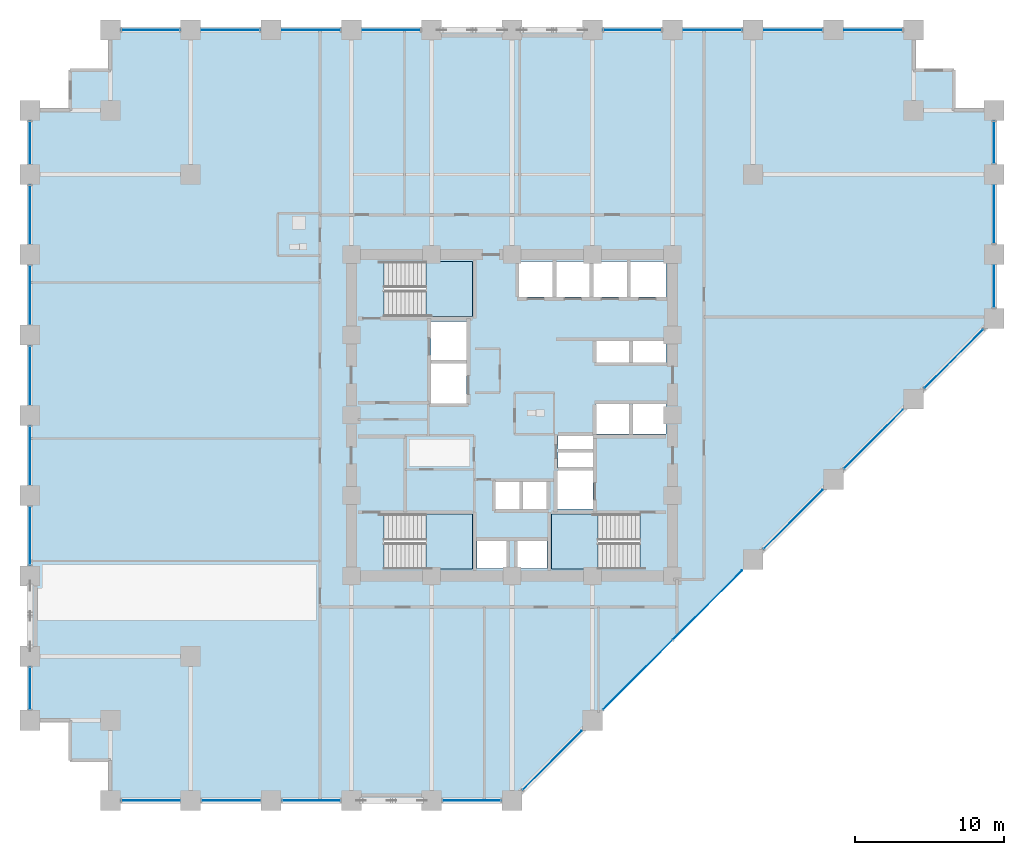
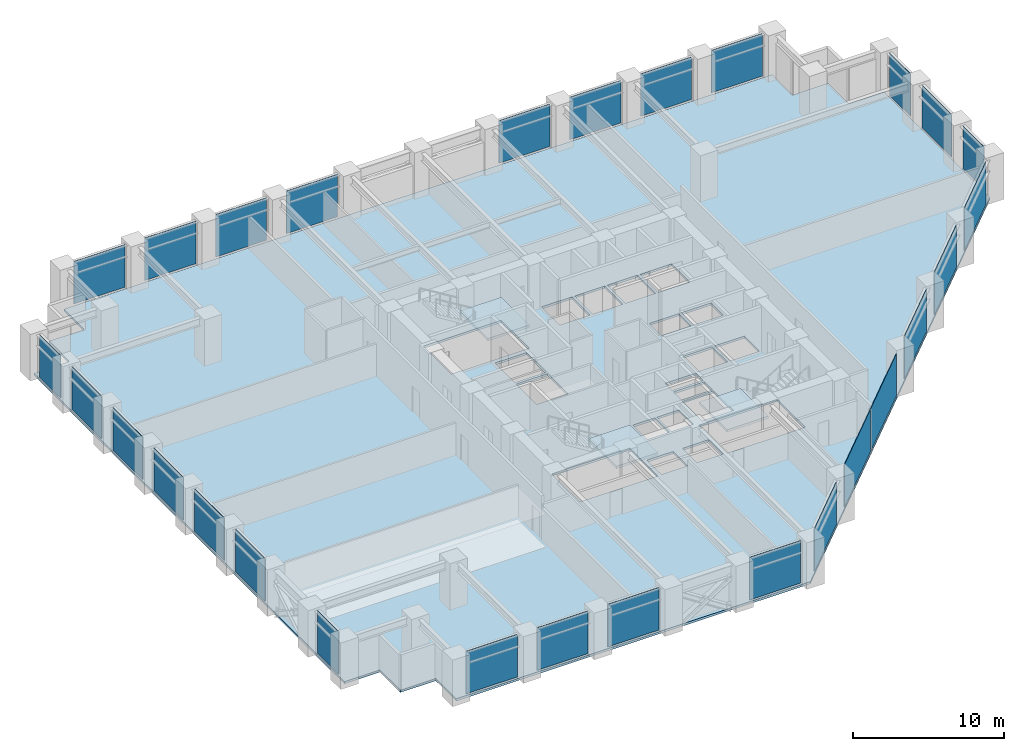
# One storey, part 18 of 25: 28 plates, 4 slabs, 11 elements without a shape of their own.
"""IFC4 building model written with IfcOpenShell, lengths in metres."""

from ifc_helpers import new_model, si_unit, direction, frame, frame_2d, origin, place, context, subcontext, project, spatial, polyline, rectangle, outline, extrude, material, layer, layer_set, type_object, element, aggregate, save


model = new_model("IFC4")

# Units and contexts
model_context = context("Model", 3, precision=1e-05, world=origin(), true_north=direction((0.0, 1.0)))
body_context = subcontext(model_context, "Body", "Model", "MODEL_VIEW")
ifc_project = project(units=[si_unit("LENGTHUNIT", "METRE"), si_unit("AREAUNIT", "SQUARE_METRE"), si_unit("VOLUMEUNIT", "CUBIC_METRE"), si_unit("PLANEANGLEUNIT", "RADIAN"), si_unit("MASSUNIT", "GRAM", prefix="KILO")], contexts=[model_context])

# Site, building, storey
site_placement = place(None, origin())
site = spatial("IfcSite", under=ifc_project, at=site_placement, CompositionType="ELEMENT")
building_placement = place(site_placement, origin())
building = spatial("IfcBuilding", under=site, at=building_placement, Name="Surkhivell Harbour Commons", CompositionType="ELEMENT")
storey_placement = place(building_placement, frame((0.0, 0.0, 48.75)))
storey = spatial("IfcBuildingStorey", under=building, at=storey_placement, Name="L12", CompositionType="ELEMENT", Elevation=48.75)

# Curtain wall, plates
ifc_material_1 = material(Name="Anodised pale-metal aluminium and insulated glazing", Category="aluminium")
ifc_layer_1 = layer(ifc_material_1, 0.219970703125)
ifc_layer_set_1 = layer_set([ifc_layer_1], Name="Anodised pale-metal aluminium and insulated glazing")
curtain_wall_type = type_object("IfcCurtainWallType", Name="CW-SYS-Z1", PredefinedType="NOTDEFINED", material=ifc_layer_set_1)
curtain_wall_1_placement = place(storey_placement, origin())
curtain_wall_1 = element("IfcCurtainWall", 1, at=curtain_wall_1_placement, inside=storey, type_object=curtain_wall_type, Name="L12 Curtain Wall CW-L12-E00S1", PredefinedType="NOTDEFINED")
ifc_material_2 = material(Name="Double-silver low-E laminated vision glass", Category="glass")
ifc_layer_2 = layer(ifc_material_2, 0.031982421875)
ifc_layer_set_2 = layer_set([ifc_layer_2], Name="Double-silver low-E laminated vision glass")
plate_type = type_object("IfcPlateType", Name="CWP-GLZ-32", PredefinedType="CURTAIN_PANEL", material=ifc_layer_set_2)
plate_1_placement = place(storey_placement, frame((-26.248046875, -25.89990234375, 0.14990234375), z_axis=(0.0, 0.0, 1.0), x_axis=(1.0, 0.0, 0.0)))
plate_1 = element("IfcPlate", 2, at=plate_1_placement, type_object=plate_type, Name="CW-Z1 panel 1.1", PredefinedType="CURTAIN_PANEL", context=body_context, shape_type="SweptSolid", body=[
    extrude(rectangle(XDim=3.89599609375, YDim=0.031982421875, at=frame_2d((1.947998046875, 0.0))), origin(), (0.0, 0.0, 1.0), 3.420166015625),
])
plate_2_placement = place(storey_placement, frame((-20.847900390625, -25.89990234375, 0.14990234375), z_axis=(0.0, 0.0, 1.0), x_axis=(1.0, 0.0, 0.0)))
plate_2 = element("IfcPlate", 3, at=plate_2_placement, type_object=plate_type, Name="CW-Z1 panel 2.1", PredefinedType="CURTAIN_PANEL", context=body_context, shape_type="SweptSolid", body=[
    extrude(rectangle(XDim=3.89599609375, YDim=0.031982421875, at=frame_2d((1.947998046875, 0.0))), origin(), (0.0, 0.0, 1.0), 3.420166015625),
])
plate_3_placement = place(storey_placement, frame((-15.447998046875, -25.89990234375, 0.14990234375), z_axis=(0.0, 0.0, 1.0), x_axis=(1.0, 0.0, 0.0)))
plate_3 = element("IfcPlate", 4, at=plate_3_placement, type_object=plate_type, Name="CW-Z1 panel 3.1", PredefinedType="CURTAIN_PANEL", context=body_context, shape_type="SweptSolid", body=[
    extrude(rectangle(XDim=3.89599609375, YDim=0.031982421875, at=frame_2d((1.947998046875, 0.0))), origin(), (0.0, 0.0, 1.0), 3.420166015625),
])
aggregate(curtain_wall_1, [plate_1, plate_2, plate_3])

# Curtain wall, plate
curtain_wall_2_placement = place(storey_placement, origin())
curtain_wall_2 = element("IfcCurtainWall", 5, at=curtain_wall_2_placement, inside=storey, type_object=curtain_wall_type, Name="L12 Curtain Wall CW-L12-E00S2", PredefinedType="NOTDEFINED")
plate_4_placement = place(storey_placement, frame((-4.64794921875, -25.89990234375, 0.14990234375), z_axis=(0.0, 0.0, 1.0), x_axis=(1.0, 0.0, 0.0)))
plate_4 = element("IfcPlate", 6, at=plate_4_placement, type_object=plate_type, Name="CW-Z1 panel 1.1", PredefinedType="CURTAIN_PANEL", context=body_context, shape_type="SweptSolid", body=[
    extrude(rectangle(XDim=3.89599609375, YDim=0.031982421875, at=frame_2d((1.947998046875, 0.0))), origin(), (0.0, 0.0, 1.0), 3.420166015625),
])
aggregate(curtain_wall_2, [plate_4])

# Curtain wall, plates
curtain_wall_3_placement = place(storey_placement, origin())
curtain_wall_3 = element("IfcCurtainWall", 7, at=curtain_wall_3_placement, inside=storey, type_object=curtain_wall_type, Name="L12 Curtain Wall CW-L12-E01", PredefinedType="NOTDEFINED")
plate_5_placement = place(storey_placement, frame((0.729736328125, -25.170166015625, 0.14990234375), z_axis=(0.0, 0.0, 1.0), x_axis=(0.707106781187, 0.707106781187, 0.0)))
plate_5 = element("IfcPlate", 8, at=plate_5_placement, type_object=plate_type, Name="CW-Z1 panel 1.1", PredefinedType="CURTAIN_PANEL", context=body_context, shape_type="SweptSolid", body=[
    extrude(rectangle(XDim=5.572509765625, YDim=0.031982421875, at=frame_2d((2.7861328125, 0.0))), origin(), (0.0, 0.0, 1.0), 3.420166015625),
])
plate_6_placement = place(storey_placement, frame((6.1298828125, -19.770263671875, 0.14990234375), z_axis=(0.0, 0.0, 1.0), x_axis=(0.707088192925, 0.70712536896, 0.0)))
plate_6 = element("IfcPlate", 9, at=plate_6_placement, type_object=plate_type, Name="CW-Z1 panel 2.1", PredefinedType="CURTAIN_PANEL", context=body_context, shape_type="SweptSolid", body=[
    extrude(rectangle(XDim=6.567138671875, YDim=0.031982421875, at=frame_2d((3.28369140625, 0.0))), origin(), (0.0, 0.0, 1.0), 3.420166015625),
])
plate_7_placement = place(storey_placement, frame((10.826416015625, -15.073486328125, 0.14990234375), z_axis=(0.0, 0.0, 1.0), x_axis=(0.70712536896, 0.707088192925, 0.0)))
plate_7 = element("IfcPlate", 10, at=plate_7_placement, type_object=plate_type, Name="CW-Z1 panel 3.1", PredefinedType="CURTAIN_PANEL", context=body_context, shape_type="SweptSolid", body=[
    extrude(rectangle(XDim=6.567138671875, YDim=0.031982421875, at=frame_2d((3.28369140625, 0.0))), origin(), (0.0, 0.0, 1.0), 3.420166015625),
])
plate_8_placement = place(storey_placement, frame((16.929931640625, -8.97021484375, 0.14990234375), z_axis=(0.0, 0.0, 1.0), x_axis=(0.707084874754, 0.70712868694, 0.0)))
plate_8 = element("IfcPlate", 11, at=plate_8_placement, type_object=plate_type, Name="CW-Z1 panel 4.1", PredefinedType="CURTAIN_PANEL", context=body_context, shape_type="SweptSolid", body=[
    extrude(rectangle(XDim=5.572509765625, YDim=0.031982421875, at=frame_2d((2.7861328125, 0.0))), origin(), (0.0, 0.0, 1.0), 3.420166015625),
])
plate_9_placement = place(storey_placement, frame((22.329833984375, -3.570068359375, 0.14990234375), z_axis=(0.0, 0.0, 1.0), x_axis=(0.70712868694, 0.707084874754, 0.0)))
plate_9 = element("IfcPlate", 12, at=plate_9_placement, type_object=plate_type, Name="CW-Z1 panel 5.1", PredefinedType="CURTAIN_PANEL", context=body_context, shape_type="SweptSolid", body=[
    extrude(rectangle(XDim=5.572509765625, YDim=0.031982421875, at=frame_2d((2.7861328125, 0.0))), origin(), (0.0, 0.0, 1.0), 3.420166015625),
])
plate_10_placement = place(storey_placement, frame((27.729736328125, 1.829833984375, 0.14990234375), z_axis=(0.0, 0.0, 1.0), x_axis=(0.707106781187, 0.707106781187, 0.0)))
plate_10 = element("IfcPlate", 13, at=plate_10_placement, type_object=plate_type, Name="CW-Z1 panel 6.1", PredefinedType="CURTAIN_PANEL", context=body_context, shape_type="SweptSolid", body=[
    extrude(rectangle(XDim=5.572509765625, YDim=0.031982421875, at=frame_2d((2.7861328125, 0.0))), origin(), (0.0, 0.0, 1.0), 3.420166015625),
])
aggregate(curtain_wall_3, [plate_5, plate_6, plate_7, plate_8, plate_9, plate_10])

curtain_wall_4_placement = place(storey_placement, origin())
curtain_wall_4 = element("IfcCurtainWall", 14, at=curtain_wall_4_placement, inside=storey, type_object=curtain_wall_type, Name="L12 Curtain Wall CW-L12-E02", PredefinedType="NOTDEFINED")
plate_11_placement = place(storey_placement, frame((32.39990234375, 7.251953125, 0.14990234375), z_axis=(0.0, 0.0, 1.0), x_axis=(0.0, 1.0, 0.0)))
plate_11 = element("IfcPlate", 15, at=plate_11_placement, type_object=plate_type, Name="CW-Z1 panel 1.1", PredefinedType="CURTAIN_PANEL", context=body_context, shape_type="SweptSolid", body=[
    extrude(rectangle(XDim=2.796142578125, YDim=0.031982421875, at=frame_2d((1.39794921875, 0.0))), origin(), (0.0, 0.0, 1.0), 3.420166015625),
])
plate_12_placement = place(storey_placement, frame((32.39990234375, 11.552001953125, 0.14990234375), z_axis=(0.0, 0.0, 1.0), x_axis=(0.0, 1.0, 0.0)))
plate_12 = element("IfcPlate", 16, at=plate_12_placement, type_object=plate_type, Name="CW-Z1 panel 2.1", PredefinedType="CURTAIN_PANEL", context=body_context, shape_type="SweptSolid", body=[
    extrude(rectangle(XDim=3.89599609375, YDim=0.031982421875, at=frame_2d((1.947998046875, 0.0))), origin(), (0.0, 0.0, 1.0), 3.420166015625),
])
plate_13_placement = place(storey_placement, frame((32.39990234375, 16.951904296875, 0.14990234375), z_axis=(0.0, 0.0, 1.0), x_axis=(0.0, 1.0, 0.0)))
plate_13 = element("IfcPlate", 17, at=plate_13_placement, type_object=plate_type, Name="CW-Z1 panel 3.1", PredefinedType="CURTAIN_PANEL", context=body_context, shape_type="SweptSolid", body=[
    extrude(rectangle(XDim=2.796142578125, YDim=0.031982421875, at=frame_2d((1.39794921875, 0.0))), origin(), (0.0, 0.0, 1.0), 3.420166015625),
])
aggregate(curtain_wall_4, [plate_11, plate_12, plate_13])

curtain_wall_5_placement = place(storey_placement, origin())
curtain_wall_5 = element("IfcCurtainWall", 18, at=curtain_wall_5_placement, inside=storey, type_object=curtain_wall_type, Name="L12 Curtain Wall CW-L12-E07S1", PredefinedType="NOTDEFINED")
plate_14_placement = place(storey_placement, frame((26.248046875, 25.89990234375, 0.14990234375), z_axis=(0.0, 0.0, 1.0), x_axis=(-1.0, 0.0, 0.0)))
plate_14 = element("IfcPlate", 19, at=plate_14_placement, type_object=plate_type, Name="CW-Z1 panel 1.1", PredefinedType="CURTAIN_PANEL", context=body_context, shape_type="SweptSolid", body=[
    extrude(rectangle(XDim=3.89599609375, YDim=0.031982421875, at=frame_2d((1.947998046875, 0.0))), origin(), (0.0, 0.0, 1.0), 3.420166015625),
])
plate_15_placement = place(storey_placement, frame((20.847900390625, 25.89990234375, 0.14990234375), z_axis=(0.0, 0.0, 1.0), x_axis=(-1.0, 0.0, 0.0)))
plate_15 = element("IfcPlate", 20, at=plate_15_placement, type_object=plate_type, Name="CW-Z1 panel 2.1", PredefinedType="CURTAIN_PANEL", context=body_context, shape_type="SweptSolid", body=[
    extrude(rectangle(XDim=3.89599609375, YDim=0.031982421875, at=frame_2d((1.947998046875, 0.0))), origin(), (0.0, 0.0, 1.0), 3.420166015625),
])
plate_16_placement = place(storey_placement, frame((15.447998046875, 25.89990234375, 0.14990234375), z_axis=(0.0, 0.0, 1.0), x_axis=(-1.0, 0.0, 0.0)))
plate_16 = element("IfcPlate", 21, at=plate_16_placement, type_object=plate_type, Name="CW-Z1 panel 3.1", PredefinedType="CURTAIN_PANEL", context=body_context, shape_type="SweptSolid", body=[
    extrude(rectangle(XDim=3.89599609375, YDim=0.031982421875, at=frame_2d((1.947998046875, 0.0))), origin(), (0.0, 0.0, 1.0), 3.420166015625),
])
plate_17_placement = place(storey_placement, frame((10.048095703125, 25.89990234375, 0.14990234375), z_axis=(0.0, 0.0, 1.0), x_axis=(-1.0, 0.0, 0.0)))
plate_17 = element("IfcPlate", 22, at=plate_17_placement, type_object=plate_type, Name="CW-Z1 panel 4.1", PredefinedType="CURTAIN_PANEL", context=body_context, shape_type="SweptSolid", body=[
    extrude(rectangle(XDim=3.89599609375, YDim=0.031982421875, at=frame_2d((1.947998046875, 0.0))), origin(), (0.0, 0.0, 1.0), 3.420166015625),
])
aggregate(curtain_wall_5, [plate_14, plate_15, plate_16, plate_17])

curtain_wall_6_placement = place(storey_placement, origin())
curtain_wall_6 = element("IfcCurtainWall", 23, at=curtain_wall_6_placement, inside=storey, type_object=curtain_wall_type, Name="L12 Curtain Wall CW-L12-E07S2", PredefinedType="NOTDEFINED")
plate_18_placement = place(storey_placement, frame((-6.152099609375, 25.89990234375, 0.14990234375), z_axis=(0.0, 0.0, 1.0), x_axis=(-1.0, 0.0, 0.0)))
plate_18 = element("IfcPlate", 24, at=plate_18_placement, type_object=plate_type, Name="CW-Z1 panel 1.1", PredefinedType="CURTAIN_PANEL", context=body_context, shape_type="SweptSolid", body=[
    extrude(rectangle(XDim=3.89599609375, YDim=0.031982421875, at=frame_2d((1.947998046875, 0.0))), origin(), (0.0, 0.0, 1.0), 3.420166015625),
])
plate_19_placement = place(storey_placement, frame((-11.552001953125, 25.89990234375, 0.14990234375), z_axis=(0.0, 0.0, 1.0), x_axis=(-1.0, 0.0, 0.0)))
plate_19 = element("IfcPlate", 25, at=plate_19_placement, type_object=plate_type, Name="CW-Z1 panel 2.1", PredefinedType="CURTAIN_PANEL", context=body_context, shape_type="SweptSolid", body=[
    extrude(rectangle(XDim=3.89599609375, YDim=0.031982421875, at=frame_2d((1.947998046875, 0.0))), origin(), (0.0, 0.0, 1.0), 3.420166015625),
])
plate_20_placement = place(storey_placement, frame((-16.951904296875, 25.89990234375, 0.14990234375), z_axis=(0.0, 0.0, 1.0), x_axis=(-1.0, 0.0, 0.0)))
plate_20 = element("IfcPlate", 26, at=plate_20_placement, type_object=plate_type, Name="CW-Z1 panel 3.1", PredefinedType="CURTAIN_PANEL", context=body_context, shape_type="SweptSolid", body=[
    extrude(rectangle(XDim=3.89599609375, YDim=0.031982421875, at=frame_2d((1.947998046875, 0.0))), origin(), (0.0, 0.0, 1.0), 3.420166015625),
])
plate_21_placement = place(storey_placement, frame((-22.35205078125, 25.89990234375, 0.14990234375), z_axis=(0.0, 0.0, 1.0), x_axis=(-1.0, 0.0, 0.0)))
plate_21 = element("IfcPlate", 27, at=plate_21_placement, type_object=plate_type, Name="CW-Z1 panel 4.1", PredefinedType="CURTAIN_PANEL", context=body_context, shape_type="SweptSolid", body=[
    extrude(rectangle(XDim=3.89599609375, YDim=0.031982421875, at=frame_2d((1.947998046875, 0.0))), origin(), (0.0, 0.0, 1.0), 3.420166015625),
])
aggregate(curtain_wall_6, [plate_18, plate_19, plate_20, plate_21])

curtain_wall_7_placement = place(storey_placement, origin())
curtain_wall_7 = element("IfcCurtainWall", 28, at=curtain_wall_7_placement, inside=storey, type_object=curtain_wall_type, Name="L12 Curtain Wall CW-L12-E12S1", PredefinedType="NOTDEFINED")
plate_22_placement = place(storey_placement, frame((-32.39990234375, 19.748046875, 0.14990234375), z_axis=(0.0, 0.0, 1.0), x_axis=(0.0, -1.0, 0.0)))
plate_22 = element("IfcPlate", 29, at=plate_22_placement, type_object=plate_type, Name="CW-Z1 panel 1.1", PredefinedType="CURTAIN_PANEL", context=body_context, shape_type="SweptSolid", body=[
    extrude(rectangle(XDim=2.796142578125, YDim=0.031982421875, at=frame_2d((1.39794921875, 0.0))), origin(), (0.0, 0.0, 1.0), 3.420166015625),
])
plate_23_placement = place(storey_placement, frame((-32.39990234375, 15.447998046875, 0.14990234375), z_axis=(0.0, 0.0, 1.0), x_axis=(0.0, -1.0, 0.0)))
plate_23 = element("IfcPlate", 30, at=plate_23_placement, type_object=plate_type, Name="CW-Z1 panel 2.1", PredefinedType="CURTAIN_PANEL", context=body_context, shape_type="SweptSolid", body=[
    extrude(rectangle(XDim=3.89599609375, YDim=0.031982421875, at=frame_2d((1.947998046875, 0.0))), origin(), (0.0, 0.0, 1.0), 3.420166015625),
])
plate_24_placement = place(storey_placement, frame((-32.39990234375, 10.048095703125, 0.14990234375), z_axis=(0.0, 0.0, 1.0), x_axis=(0.0, -1.0, 0.0)))
plate_24 = element("IfcPlate", 31, at=plate_24_placement, type_object=plate_type, Name="CW-Z1 panel 3.1", PredefinedType="CURTAIN_PANEL", context=body_context, shape_type="SweptSolid", body=[
    extrude(rectangle(XDim=3.89599609375, YDim=0.031982421875, at=frame_2d((1.947998046875, 0.0))), origin(), (0.0, 0.0, 1.0), 3.420166015625),
])
plate_25_placement = place(storey_placement, frame((-32.39990234375, 4.64794921875, 0.14990234375), z_axis=(0.0, 0.0, 1.0), x_axis=(0.0, -1.0, 0.0)))
plate_25 = element("IfcPlate", 32, at=plate_25_placement, type_object=plate_type, Name="CW-Z1 panel 4.1", PredefinedType="CURTAIN_PANEL", context=body_context, shape_type="SweptSolid", body=[
    extrude(rectangle(XDim=3.89599609375, YDim=0.031982421875, at=frame_2d((1.947998046875, 0.0))), origin(), (0.0, 0.0, 1.0), 3.420166015625),
])
plate_26_placement = place(storey_placement, frame((-32.39990234375, -0.751953125, 0.14990234375), z_axis=(0.0, 0.0, 1.0), x_axis=(0.0, -1.0, 0.0)))
plate_26 = element("IfcPlate", 33, at=plate_26_placement, type_object=plate_type, Name="CW-Z1 panel 5.1", PredefinedType="CURTAIN_PANEL", context=body_context, shape_type="SweptSolid", body=[
    extrude(rectangle(XDim=3.89599609375, YDim=0.031982421875, at=frame_2d((1.947998046875, 0.0))), origin(), (0.0, 0.0, 1.0), 3.420166015625),
])
plate_27_placement = place(storey_placement, frame((-32.39990234375, -6.152099609375, 0.14990234375), z_axis=(0.0, 0.0, 1.0), x_axis=(0.0, -1.0, 0.0)))
plate_27 = element("IfcPlate", 34, at=plate_27_placement, type_object=plate_type, Name="CW-Z1 panel 6.1", PredefinedType="CURTAIN_PANEL", context=body_context, shape_type="SweptSolid", body=[
    extrude(rectangle(XDim=3.89599609375, YDim=0.031982421875, at=frame_2d((1.947998046875, 0.0))), origin(), (0.0, 0.0, 1.0), 3.420166015625),
])
aggregate(curtain_wall_7, [plate_22, plate_23, plate_24, plate_25, plate_26, plate_27])

# Curtain wall, plate
curtain_wall_8_placement = place(storey_placement, origin())
curtain_wall_8 = element("IfcCurtainWall", 35, at=curtain_wall_8_placement, inside=storey, type_object=curtain_wall_type, Name="L12 Curtain Wall CW-L12-E12S2", PredefinedType="NOTDEFINED")
plate_28_placement = place(storey_placement, frame((-32.39990234375, -16.951904296875, 0.14990234375), z_axis=(0.0, 0.0, 1.0), x_axis=(0.0, -1.0, 0.0)))
plate_28 = element("IfcPlate", 36, at=plate_28_placement, type_object=plate_type, Name="CW-Z1 panel 1.1", PredefinedType="CURTAIN_PANEL", context=body_context, shape_type="SweptSolid", body=[
    extrude(rectangle(XDim=2.796142578125, YDim=0.031982421875, at=frame_2d((1.39794921875, 0.0))), origin(), (0.0, 0.0, 1.0), 3.420166015625),
])
aggregate(curtain_wall_8, [plate_28])

# Stair, slab
ifc_material_3 = material(Name="Precast concrete C45/55", Category="concrete")
stair_type = type_object("IfcStairType", Name="STR-DL-375", PredefinedType="HALF_TURN_STAIR", material=ifc_material_3)
stair_1_placement = place(storey_placement, origin())
stair_1 = element("IfcStair", 37, at=stair_1_placement, inside=storey, type_object=stair_type, Name="L12 Core Exit Stair ST1", PredefinedType="HALF_TURN_STAIR")
ifc_material_4 = material(Name="Reinforced concrete C45/55", Category="concrete")
ifc_layer_3 = layer(ifc_material_4, 0.199951171875)
ifc_layer_set_3 = layer_set([ifc_layer_3], Name="Reinforced concrete C45/55")
slab_type_1 = type_object("IfcSlabType", Name="SLB-ST-LND200", PredefinedType="LANDING", material=ifc_layer_set_3)
slab_1_placement = place(storey_placement, frame((0.0, 0.0, 1.675048828125)))
slab_1 = element("IfcSlab", 38, at=slab_1_placement, type_object=slab_type_1, Name="ST1 landing 1", PredefinedType="LANDING", context=body_context, shape_type="SweptSolid", body=[
    extrude(outline(polyline([(-5.7900390625, 6.639892578125), (-2.639892578125, 6.639892578125), (-2.639892578125, 10.340087890625), (-5.7900390625, 10.340087890625), (-5.7900390625, 6.639892578125)])), origin(), (0.0, 0.0, 1.0), 0.199951171875),
])
aggregate(stair_1, [slab_1])

stair_2_placement = place(storey_placement, origin())
stair_2 = element("IfcStair", 39, at=stair_2_placement, inside=storey, type_object=stair_type, Name="L12 Core Exit Stair ST2", PredefinedType="HALF_TURN_STAIR")
slab_2_placement = place(storey_placement, frame((0.0, 0.0, 1.675048828125)))
slab_2 = element("IfcSlab", 40, at=slab_2_placement, type_object=slab_type_1, Name="ST2 landing 1", PredefinedType="LANDING", context=body_context, shape_type="SweptSolid", body=[
    extrude(outline(polyline([(5.7900390625, -6.639892578125), (2.639892578125, -6.639892578125), (2.639892578125, -10.340087890625), (5.7900390625, -10.340087890625), (5.7900390625, -6.639892578125)])), origin(), (0.0, 0.0, 1.0), 0.199951171875),
])
aggregate(stair_2, [slab_2])

stair_3_placement = place(storey_placement, origin())
stair_3 = element("IfcStair", 41, at=stair_3_placement, inside=storey, type_object=stair_type, Name="L12 Core Exit Stair ST3", PredefinedType="HALF_TURN_STAIR")
slab_3_placement = place(storey_placement, frame((0.0, 0.0, 1.675048828125)))
slab_3 = element("IfcSlab", 42, at=slab_3_placement, type_object=slab_type_1, Name="ST3 landing 1", PredefinedType="LANDING", context=body_context, shape_type="SweptSolid", body=[
    extrude(outline(polyline([(-5.7900390625, -10.340087890625), (-2.639892578125, -10.340087890625), (-2.639892578125, -6.639892578125), (-5.7900390625, -6.639892578125), (-5.7900390625, -10.340087890625)])), origin(), (0.0, 0.0, 1.0), 0.199951171875),
])
aggregate(stair_3, [slab_3])

# Slab
ifc_material_5 = material(Name="Concrete C45/55", Category="concrete")
ifc_layer_4 = layer(ifc_material_5, 0.179931640625)
ifc_layer_set_4 = layer_set([ifc_layer_4], Name="Concrete C45/55")
slab_type_2 = type_object("IfcSlabType", Name="SLB-TYP-180", PredefinedType="FLOOR", material=ifc_layer_set_4)
slab_4_placement = place(storey_placement, frame((0.0, 0.0, -0.179931640625)))
element("IfcSlab", 43, at=slab_4_placement, inside=storey, type_object=slab_type_2, Name="L12 Structural Floor Slab", PredefinedType="FLOOR", context=body_context, shape_type="SweptSolid", body=[
    extrude(outline(polyline([(-27.0, -25.89990234375), (0.0, -25.89990234375), (32.39990234375, 6.5), (32.39990234375, 20.5), (29.699951171875, 20.5), (29.699951171875, 23.199951171875), (27.0, 23.199951171875), (27.0, 25.89990234375), (-27.0, 25.89990234375), (-27.0, 23.199951171875), (-29.699951171875, 23.199951171875), (-29.699951171875, 20.5), (-32.39990234375, 20.5), (-32.39990234375, -20.5), (-29.699951171875, -20.5), (-29.699951171875, -23.199951171875), (-27.0, -23.199951171875), (-27.0, -25.89990234375)]), holes=[polyline([(-8.590087890625, 6.639892578125), (-2.639892578125, 6.639892578125), (-2.639892578125, 10.340087890625), (-8.590087890625, 10.340087890625), (-8.590087890625, 6.639892578125)]), polyline([(8.590087890625, -6.639892578125), (2.639892578125, -6.639892578125), (2.639892578125, -10.340087890625), (8.590087890625, -10.340087890625), (8.590087890625, -6.639892578125)]), polyline([(-8.590087890625, -10.340087890625), (-2.639892578125, -10.340087890625), (-2.639892578125, -6.639892578125), (-8.590087890625, -6.639892578125), (-8.590087890625, -10.340087890625)]), polyline([(0.449951171875, 7.949951171875), (2.75, 7.949951171875), (2.75, 10.35009765625), (0.449951171875, 10.35009765625), (0.449951171875, 7.949951171875)]), polyline([(2.949951171875, 7.949951171875), (5.25, 7.949951171875), (5.25, 10.35009765625), (2.949951171875, 10.35009765625), (2.949951171875, 7.949951171875)]), polyline([(5.449951171875, 7.949951171875), (7.75, 7.949951171875), (7.75, 10.35009765625), (5.449951171875, 10.35009765625), (5.449951171875, 7.949951171875)]), polyline([(7.949951171875, 7.949951171875), (10.35009765625, 7.949951171875), (10.35009765625, 10.35009765625), (7.949951171875, 10.35009765625), (7.949951171875, 7.949951171875)]), polyline([(5.64990234375, 3.550048828125), (7.89990234375, 3.550048828125), (7.89990234375, 5.14990234375), (5.64990234375, 5.14990234375), (5.64990234375, 3.550048828125)]), polyline([(8.10009765625, 3.550048828125), (10.35009765625, 3.550048828125), (10.35009765625, 5.14990234375), (8.10009765625, 5.14990234375), (8.10009765625, 3.550048828125)]), polyline([(5.64990234375, -1.25), (7.89990234375, -1.25), (7.89990234375, 0.75), (5.64990234375, 0.75), (5.64990234375, -1.25)]), polyline([(8.10009765625, -1.25), (10.35009765625, -1.25), (10.35009765625, 0.75), (8.10009765625, 0.75), (8.10009765625, -1.25)]), polyline([(-1.14990234375, -6.35009765625), (0.550048828125, -6.35009765625), (0.550048828125, -4.449951171875), (-1.14990234375, -4.449951171875), (-1.14990234375, -6.35009765625)]), polyline([(0.679931640625, -6.35009765625), (2.3798828125, -6.35009765625), (2.3798828125, -4.449951171875), (0.679931640625, -4.449951171875), (0.679931640625, -6.35009765625)]), polyline([(-2.35009765625, -10.300048828125), (-0.35009765625, -10.300048828125), (-0.35009765625, -8.39990234375), (-2.35009765625, -8.39990234375), (-2.35009765625, -10.300048828125)]), polyline([(0.35009765625, -10.300048828125), (2.35009765625, -10.300048828125), (2.35009765625, -8.39990234375), (0.35009765625, -8.39990234375), (0.35009765625, -10.300048828125)]), polyline([(-5.449951171875, 3.699951171875), (-3.050048828125, 3.699951171875), (-3.050048828125, 6.300048828125), (-5.449951171875, 6.300048828125), (-5.449951171875, 3.699951171875)]), polyline([(3.050048828125, -6.300048828125), (5.449951171875, -6.300048828125), (5.449951171875, -3.699951171875), (3.050048828125, -3.699951171875), (3.050048828125, -6.300048828125)]), polyline([(-5.449951171875, 0.800048828125), (-3.050048828125, 0.800048828125), (-3.050048828125, 3.5), (-5.449951171875, 3.5), (-5.449951171875, 0.800048828125)]), polyline([(3.10009765625, -3.550048828125), (5.449951171875, -3.550048828125), (5.449951171875, -2.47998046875), (3.10009765625, -2.47998046875), (3.10009765625, -3.550048828125)]), polyline([(3.10009765625, -2.280029296875), (5.449951171875, -2.280029296875), (5.449951171875, -1.35009765625), (3.10009765625, -1.35009765625), (3.10009765625, -2.280029296875)])]), origin(), (0.0, 0.0, 1.0), 0.179931640625),
])

save(model, "model.ifc")
